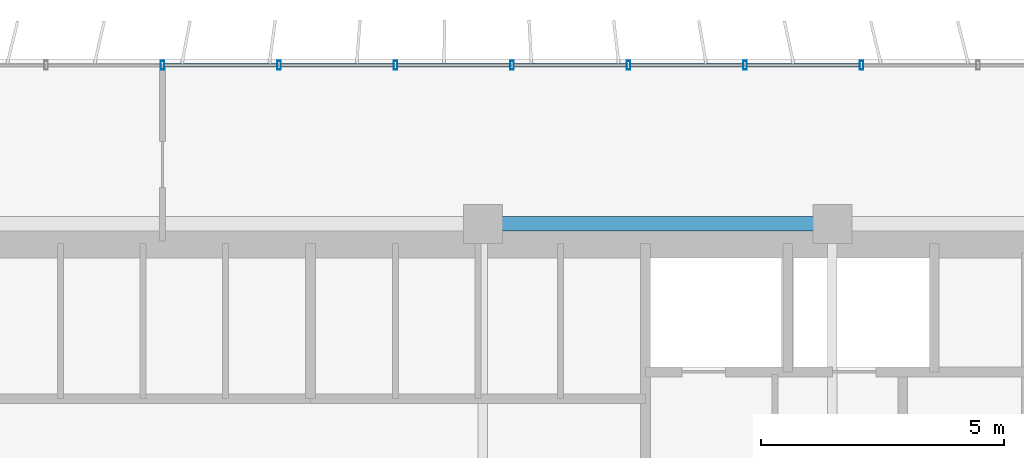
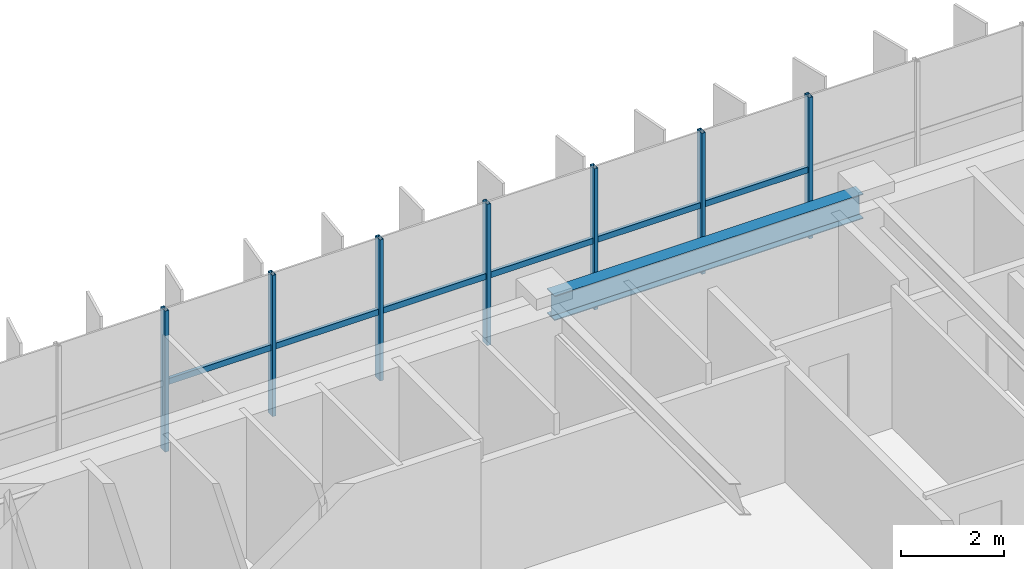
# One storey, part 9 of 22: 13 members, 1 beam, 1 element without a shape of its own.
"""IFC4 building model written with IfcOpenShell, lengths in metres."""

from ifc_helpers import new_model, si_unit, direction, frame, origin, origin_2d, place, context, subcontext, project, spatial, hollow_rectangle, i_section, extrude, source, transform, mapped, material, material_profile, profile_set, type_object, element, aggregate, save


model = new_model("IFC4")

# Units and contexts
model_context = context("Model", 3, precision=1e-05, world=origin(), true_north=direction((0.0, 1.0)))
body_context = subcontext(model_context, "Body", "Model", "MODEL_VIEW")
ifc_project = project(units=[si_unit("LENGTHUNIT", "METRE"), si_unit("AREAUNIT", "SQUARE_METRE"), si_unit("VOLUMEUNIT", "CUBIC_METRE"), si_unit("PLANEANGLEUNIT", "RADIAN"), si_unit("MASSUNIT", "GRAM", prefix="KILO")], contexts=[model_context])

# Site, building, storey
site_placement = place(None, origin())
site = spatial("IfcSite", under=ifc_project, at=site_placement, CompositionType="ELEMENT")
building_placement = place(site_placement, origin())
building = spatial("IfcBuilding", under=site, at=building_placement, Name="Trelvane Seafront Commons", CompositionType="ELEMENT")
storey_placement = place(building_placement, frame((0.0, 0.0, 114.10009765625)))
storey = spatial("IfcBuildingStorey", under=building, at=storey_placement, Name="L29", CompositionType="ELEMENT", Elevation=114.10009765625)

# Beam
ifc_material_1 = material(Name="Steel SM355 (S355)", Category="steel")
ifc_material_profile_1 = material_profile(ifc_material_1, i_section(OverallWidth=0.300048828125, OverallDepth=0.587890625, WebThickness=0.011962890625, FlangeThickness=0.02001953125, at=origin_2d()), Name="H-588x300x12x20")
ifc_profile_set_1 = profile_set([ifc_material_profile_1], Name="Steel SM355 (S355)")
beam_type = type_object("IfcBeamType", Name="STR-BM-H588", PredefinedType="BEAM", material=ifc_profile_set_1)
shared_shape_1 = source(origin(), body_context, "Body", "SweptSolid", [
    extrude(i_section(OverallWidth=0.300048828125, OverallDepth=0.587890625, WebThickness=0.011962890625, FlangeThickness=0.02001953125, at=origin_2d()), origin(), (0.0, 0.0, 1.0), 6.900146484375),
])
beam_placement = place(storey_placement, frame((43.949951171875, 45.10009765625, 3.0458984375), z_axis=(1.0, 0.0, 0.0), x_axis=(0.0, 1.0, 0.0)))
element("IfcBeam", 1, at=beam_placement, inside=storey, type_object=beam_type, Name="L29 Primary Girder G-33", PredefinedType="BEAM", context=body_context, shape_type="MappedRepresentation", body=[
    mapped(shared_shape_1, transform((0.0, 0.0, 0.0), x_axis=(1.0, 0.0, 0.0), y_axis=(0.0, 1.0, 0.0), z_axis=(0.0, 0.0, 1.0), scale=1.0)),
])

# Curtain wall, members
ifc_material_2 = material(Name="Anodised pale-silver aluminium", Category="aluminium")
curtain_wall_type = type_object("IfcCurtainWallType", Name="ARCH-CW4-SKYLOBBY", PredefinedType="NOTDEFINED", material=ifc_material_2)
curtain_wall_placement = place(storey_placement, origin())
curtain_wall = element("IfcCurtainWall", 2, at=curtain_wall_placement, inside=storey, type_object=curtain_wall_type, Name="CW-L29-0054", PredefinedType="NOTDEFINED")
ifc_material_profile_2 = material_profile(ifc_material_2, hollow_rectangle(XDim=0.074951171875, YDim=0.139892578125, WallThickness=0.00390625, at=origin_2d()), Name="TRAN-75x140x4")
ifc_profile_set_2 = profile_set([ifc_material_profile_2], Name="Anodised pale-silver aluminium")
member_type_1 = type_object("IfcMemberType", Name="ARCH-CW-TRAN-140", PredefinedType="USERDEFINED", material=ifc_profile_set_2)
shared_shape_2 = source(origin(), body_context, "Body", "SweptSolid", [
    extrude(hollow_rectangle(XDim=0.074951171875, YDim=0.139892578125, WallThickness=0.00390625, at=origin_2d()), origin(), (0.0, 0.0, 1.0), 2.3759765625),
])
member_1_placement = place(storey_placement, frame((37.2119140625, 48.3701171875, 1.602783203125), z_axis=(1.0, 0.0, 0.0), x_axis=(0.0, 1.0, 0.0)))
member_1 = element("IfcMember", 3, at=member_1_placement, type_object=member_type_1, Name="CW-L29-0054-T09", ObjectType="TRANSOM", PredefinedType="USERDEFINED", context=body_context, shape_type="MappedRepresentation", body=[
    mapped(shared_shape_2, transform((0.0, 0.0, 0.0), x_axis=(1.0, 0.0, 0.0), y_axis=(0.0, 1.0, 0.0), z_axis=(0.0, 0.0, 1.0), scale=1.0)),
])
member_2_placement = place(storey_placement, frame((39.612060546875, 48.3701171875, 1.602783203125), z_axis=(1.0, 0.0, 0.0), x_axis=(0.0, 1.0, 0.0)))
member_2 = element("IfcMember", 4, at=member_2_placement, type_object=member_type_1, Name="CW-L29-0054-T10", ObjectType="TRANSOM", PredefinedType="USERDEFINED", context=body_context, shape_type="MappedRepresentation", body=[
    mapped(shared_shape_2, transform((0.0, 0.0, 0.0), x_axis=(1.0, 0.0, 0.0), y_axis=(0.0, 1.0, 0.0), z_axis=(0.0, 0.0, 1.0), scale=1.0)),
])
member_3_placement = place(storey_placement, frame((42.011962890625, 48.3701171875, 1.602783203125), z_axis=(1.0, 0.0, 0.0), x_axis=(0.0, 1.0, 0.0)))
member_3 = element("IfcMember", 5, at=member_3_placement, type_object=member_type_1, Name="CW-L29-0054-T11", ObjectType="TRANSOM", PredefinedType="USERDEFINED", context=body_context, shape_type="MappedRepresentation", body=[
    mapped(shared_shape_2, transform((0.0, 0.0, 0.0), x_axis=(1.0, 0.0, 0.0), y_axis=(0.0, 1.0, 0.0), z_axis=(0.0, 0.0, 1.0), scale=1.0)),
])
member_4_placement = place(storey_placement, frame((44.412109375, 48.3701171875, 1.602783203125), z_axis=(1.0, 0.0, 0.0), x_axis=(0.0, 1.0, 0.0)))
member_4 = element("IfcMember", 6, at=member_4_placement, type_object=member_type_1, Name="CW-L29-0054-T12", ObjectType="TRANSOM", PredefinedType="USERDEFINED", context=body_context, shape_type="MappedRepresentation", body=[
    mapped(shared_shape_2, transform((0.0, 0.0, 0.0), x_axis=(1.0, 0.0, 0.0), y_axis=(0.0, 1.0, 0.0), z_axis=(0.0, 0.0, 1.0), scale=1.0)),
])
member_5_placement = place(storey_placement, frame((46.81201171875, 48.3701171875, 1.602783203125), z_axis=(1.0, 0.0, 0.0), x_axis=(0.0, 1.0, 0.0)))
member_5 = element("IfcMember", 7, at=member_5_placement, type_object=member_type_1, Name="CW-L29-0054-T13", ObjectType="TRANSOM", PredefinedType="USERDEFINED", context=body_context, shape_type="MappedRepresentation", body=[
    mapped(shared_shape_2, transform((0.0, 0.0, 0.0), x_axis=(1.0, 0.0, 0.0), y_axis=(0.0, 1.0, 0.0), z_axis=(0.0, 0.0, 1.0), scale=1.0)),
])
member_6_placement = place(storey_placement, frame((49.2119140625, 48.3701171875, 1.602783203125), z_axis=(1.0, 0.0, 0.0), x_axis=(0.0, 1.0, 0.0)))
member_6 = element("IfcMember", 8, at=member_6_placement, type_object=member_type_1, Name="CW-L29-0054-T14", ObjectType="TRANSOM", PredefinedType="USERDEFINED", context=body_context, shape_type="MappedRepresentation", body=[
    mapped(shared_shape_2, transform((0.0, 0.0, 0.0), x_axis=(1.0, 0.0, 0.0), y_axis=(0.0, 1.0, 0.0), z_axis=(0.0, 0.0, 1.0), scale=1.0)),
])
ifc_material_profile_3 = material_profile(ifc_material_2, hollow_rectangle(XDim=0.080078125, YDim=0.179931640625, WallThickness=0.00439453125, at=origin_2d()), Name="MULL-80x180x4.5")
ifc_profile_set_3 = profile_set([ifc_material_profile_3], Name="Anodised pale-silver aluminium")
member_type_2 = type_object("IfcMemberType", Name="ARCH-CW-MULL-180", PredefinedType="MULLION", material=ifc_profile_set_3)
shared_shape_3 = source(origin(), body_context, "Body", "SweptSolid", [
    extrude(hollow_rectangle(XDim=0.080078125, YDim=0.179931640625, WallThickness=0.00439453125, at=origin_2d()), origin(), (0.0, 0.0, 1.0), 3.33984375),
])
member_7_placement = place(storey_placement, frame((37.199951171875, 48.3701171875, 0.0), z_axis=(0.0, 0.0, 1.0), x_axis=(1.0, 0.0, 0.0)))
member_7 = element("IfcMember", 9, at=member_7_placement, type_object=member_type_2, Name="CW-L29-0054-M09", PredefinedType="MULLION", context=body_context, shape_type="MappedRepresentation", body=[
    mapped(shared_shape_3, transform((0.0, 0.0, 0.0), x_axis=(1.0, 0.0, 0.0), y_axis=(0.0, 1.0, 0.0), z_axis=(0.0, 0.0, 1.0), scale=1.0)),
])
member_8_placement = place(storey_placement, frame((39.60009765625, 48.3701171875, 0.0), z_axis=(0.0, 0.0, 1.0), x_axis=(1.0, 0.0, 0.0)))
member_8 = element("IfcMember", 10, at=member_8_placement, type_object=member_type_2, Name="CW-L29-0054-M10", PredefinedType="MULLION", context=body_context, shape_type="MappedRepresentation", body=[
    mapped(shared_shape_3, transform((0.0, 0.0, 0.0), x_axis=(1.0, 0.0, 0.0), y_axis=(0.0, 1.0, 0.0), z_axis=(0.0, 0.0, 1.0), scale=1.0)),
])
member_9_placement = place(storey_placement, frame((42.0, 48.3701171875, 0.0), z_axis=(0.0, 0.0, 1.0), x_axis=(1.0, 0.0, 0.0)))
member_9 = element("IfcMember", 11, at=member_9_placement, type_object=member_type_2, Name="CW-L29-0054-M11", PredefinedType="MULLION", context=body_context, shape_type="MappedRepresentation", body=[
    mapped(shared_shape_3, transform((0.0, 0.0, 0.0), x_axis=(1.0, 0.0, 0.0), y_axis=(0.0, 1.0, 0.0), z_axis=(0.0, 0.0, 1.0), scale=1.0)),
])
member_10_placement = place(storey_placement, frame((44.39990234375, 48.3701171875, 0.0), z_axis=(0.0, 0.0, 1.0), x_axis=(1.0, 0.0, 0.0)))
member_10 = element("IfcMember", 12, at=member_10_placement, type_object=member_type_2, Name="CW-L29-0054-M12", PredefinedType="MULLION", context=body_context, shape_type="MappedRepresentation", body=[
    mapped(shared_shape_3, transform((0.0, 0.0, 0.0), x_axis=(1.0, 0.0, 0.0), y_axis=(0.0, 1.0, 0.0), z_axis=(0.0, 0.0, 1.0), scale=1.0)),
])
member_11_placement = place(storey_placement, frame((46.800048828125, 48.3701171875, 0.0), z_axis=(0.0, 0.0, 1.0), x_axis=(1.0, 0.0, 0.0)))
member_11 = element("IfcMember", 13, at=member_11_placement, type_object=member_type_2, Name="CW-L29-0054-M13", PredefinedType="MULLION", context=body_context, shape_type="MappedRepresentation", body=[
    mapped(shared_shape_3, transform((0.0, 0.0, 0.0), x_axis=(1.0, 0.0, 0.0), y_axis=(0.0, 1.0, 0.0), z_axis=(0.0, 0.0, 1.0), scale=1.0)),
])
member_12_placement = place(storey_placement, frame((49.199951171875, 48.3701171875, 0.0), z_axis=(0.0, 0.0, 1.0), x_axis=(1.0, 0.0, 0.0)))
member_12 = element("IfcMember", 14, at=member_12_placement, type_object=member_type_2, Name="CW-L29-0054-M14", PredefinedType="MULLION", context=body_context, shape_type="MappedRepresentation", body=[
    mapped(shared_shape_3, transform((0.0, 0.0, 0.0), x_axis=(1.0, 0.0, 0.0), y_axis=(0.0, 1.0, 0.0), z_axis=(0.0, 0.0, 1.0), scale=1.0)),
])
member_13_placement = place(storey_placement, frame((51.60009765625, 48.3701171875, 0.0), z_axis=(0.0, 0.0, 1.0), x_axis=(1.0, 0.0, 0.0)))
member_13 = element("IfcMember", 15, at=member_13_placement, type_object=member_type_2, Name="CW-L29-0054-M15", PredefinedType="MULLION", context=body_context, shape_type="MappedRepresentation", body=[
    mapped(shared_shape_3, transform((0.0, 0.0, 0.0), x_axis=(1.0, 0.0, 0.0), y_axis=(0.0, 1.0, 0.0), z_axis=(0.0, 0.0, 1.0), scale=1.0)),
])
aggregate(curtain_wall, [member_7, member_8, member_9, member_10, member_11, member_12, member_13, member_1, member_2, member_3, member_4, member_5, member_6])

save(model, "model.ifc")
